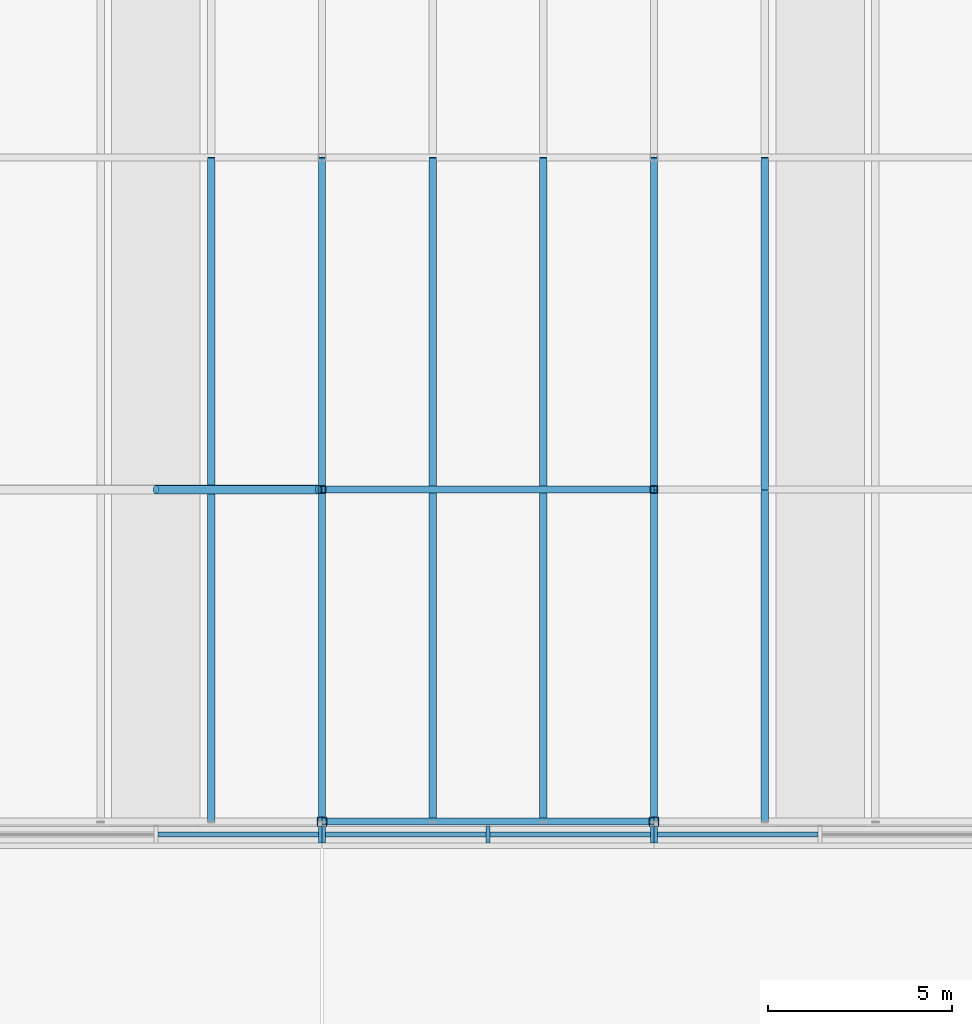
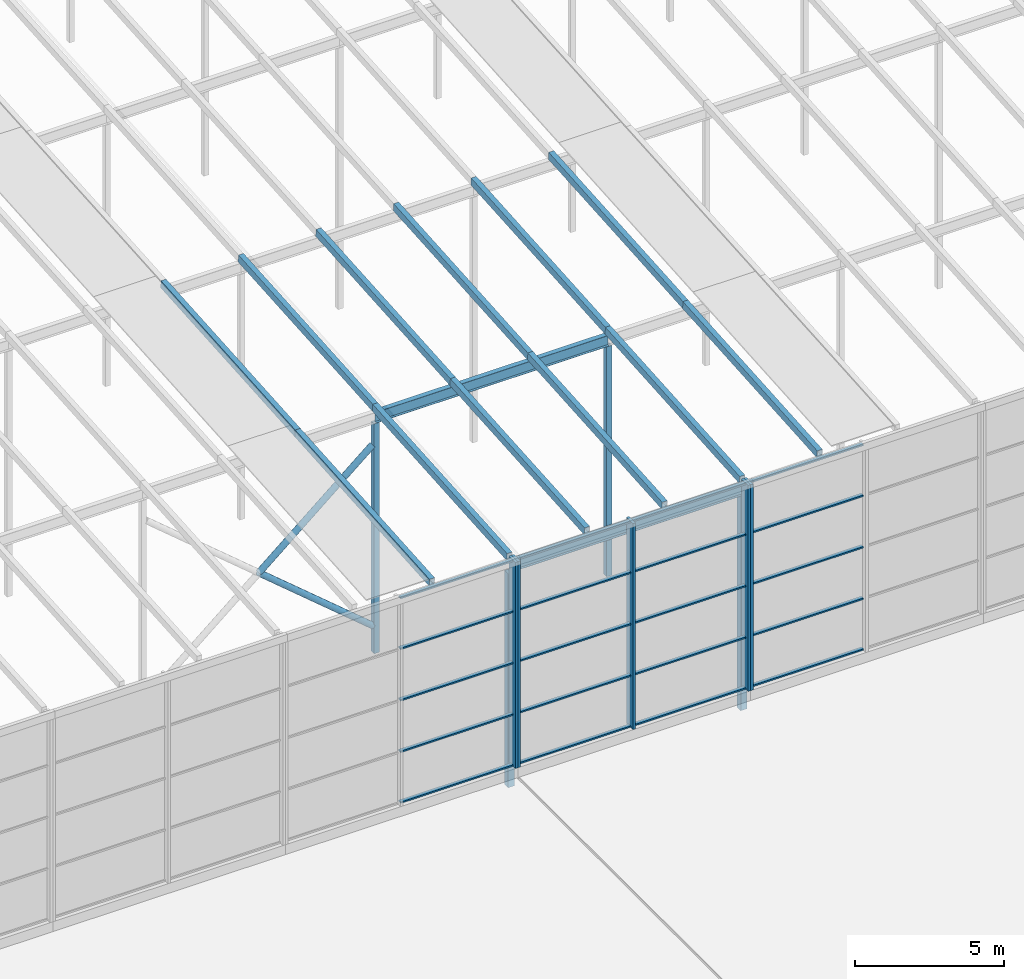
# One storey, part 16 of 84: 43 members, 2 beams, 3 elements without a shape of their own.
"""IFC4 building model written with IfcOpenShell, lengths in metres."""

from ifc_helpers import new_model, si_unit, direction, frame, origin, origin_2d, place, context, subcontext, project, spatial, rectangle, hollow_rectangle, hollow_circle, i_section, extrude, material, material_profile, profile_set, type_object, element, aggregate, save


model = new_model("IFC4")

# Units and contexts
model_context = context("Model", 3, precision=1e-05, world=origin(), true_north=direction((0.0, 1.0)))
body_context = subcontext(model_context, "Body", "Model", "MODEL_VIEW")
ifc_project = project(units=[si_unit("LENGTHUNIT", "METRE"), si_unit("AREAUNIT", "SQUARE_METRE"), si_unit("VOLUMEUNIT", "CUBIC_METRE"), si_unit("PLANEANGLEUNIT", "RADIAN"), si_unit("MASSUNIT", "GRAM", prefix="KILO")], contexts=[model_context])

# Site, building, storey
site_placement = place(None, origin())
site = spatial("IfcSite", under=ifc_project, at=site_placement, CompositionType="ELEMENT")
building_placement = place(site_placement, origin())
building = spatial("IfcBuilding", under=site, at=building_placement, Name="Silverbay Arena", CompositionType="ELEMENT")
storey_placement = place(building_placement, frame((0.0, 0.0, 47.10009765625)))
storey = spatial("IfcBuildingStorey", under=building, at=storey_placement, Name="ROOF", CompositionType="ELEMENT", Elevation=47.10009765625)

# Curtain wall, member
ifc_material_1 = material(Name="Aluminium framed glazing", Category="aluminium")
curtain_wall_type = type_object("IfcCurtainWallType", Name="Curtain wall crown 9000 x 8425", PredefinedType="NOTDEFINED", material=ifc_material_1)
curtain_wall_1_placement = place(storey_placement, origin())
curtain_wall_1 = element("IfcCurtainWall", 1, at=curtain_wall_1_placement, inside=storey, type_object=curtain_wall_type, Name="ROOF CROWN CURTAIN WALL south bay 06", PredefinedType="NOTDEFINED")
ifc_material_2 = material(Name="Aluminium", Category="aluminium")
ifc_material_profile_1 = material_profile(ifc_material_2, rectangle(XDim=0.449951171875, YDim=0.10009765625, at=origin_2d()), Name="Mullion 100 x 450")
ifc_profile_set_1 = profile_set([ifc_material_profile_1], Name="Aluminium")
member_type_1 = type_object("IfcMemberType", Name="Mullion 100 x 450", PredefinedType="MULLION", material=ifc_profile_set_1)
placement = place(building_placement, frame((0.0, 0.0, 33.5)))
member_1_placement = place(placement, frame((134.949951171875, 26.64990234375, 14.050048828125), z_axis=(0.0, 0.0, 1.0), x_axis=(0.0, 1.0, 0.0)))
member_1 = element("IfcMember", 2, at=member_1_placement, type_object=member_type_1, Name="CW62 mullion 3", PredefinedType="MULLION", context=body_context, shape_type="SweptSolid", body=[
    extrude(rectangle(XDim=0.449951171875, YDim=0.10009765625, at=origin_2d()), origin(), (0.0, 0.0, 1.0), 8.424560546875),
])

# Curtain wall, members
curtain_wall_2_placement = place(storey_placement, origin())
curtain_wall_2 = element("IfcCurtainWall", 3, at=curtain_wall_2_placement, inside=storey, type_object=curtain_wall_type, Name="ROOF CROWN CURTAIN WALL south bay 07", PredefinedType="NOTDEFINED")
member_2_placement = place(placement, frame((135.050048828125, 26.64990234375, 14.050048828125), z_axis=(0.0, 0.0, 1.0), x_axis=(0.0, 1.0, 0.0)))
member_2 = element("IfcMember", 4, at=member_2_placement, type_object=member_type_1, Name="CW62 mullion 1", PredefinedType="MULLION", context=body_context, shape_type="SweptSolid", body=[
    extrude(rectangle(XDim=0.449951171875, YDim=0.10009765625, at=origin_2d()), origin(), (0.0, 0.0, 1.0), 8.424560546875),
])
member_3_placement = place(placement, frame((139.5, 26.64990234375, 14.050048828125), z_axis=(0.0, 0.0, 1.0), x_axis=(0.0, 1.0, 0.0)))
member_3 = element("IfcMember", 5, at=member_3_placement, type_object=member_type_1, Name="CW62 mullion 2", PredefinedType="MULLION", context=body_context, shape_type="SweptSolid", body=[
    extrude(rectangle(XDim=0.449951171875, YDim=0.10009765625, at=origin_2d()), origin(), (0.0, 0.0, 1.0), 8.424560546875),
])
member_4_placement = place(placement, frame((143.949951171875, 26.64990234375, 14.050048828125), z_axis=(0.0, 0.0, 1.0), x_axis=(0.0, 1.0, 0.0)))
member_4 = element("IfcMember", 6, at=member_4_placement, type_object=member_type_1, Name="CW62 mullion 3", PredefinedType="MULLION", context=body_context, shape_type="SweptSolid", body=[
    extrude(rectangle(XDim=0.449951171875, YDim=0.10009765625, at=origin_2d()), origin(), (0.0, 0.0, 1.0), 8.424560546875),
])

# Curtain wall, member
curtain_wall_3_placement = place(storey_placement, origin())
curtain_wall_3 = element("IfcCurtainWall", 7, at=curtain_wall_3_placement, inside=storey, type_object=curtain_wall_type, Name="ROOF CROWN CURTAIN WALL south bay 08", PredefinedType="NOTDEFINED")
member_5_placement = place(placement, frame((144.050048828125, 26.64990234375, 14.050048828125), z_axis=(0.0, 0.0, 1.0), x_axis=(0.0, 1.0, 0.0)))
member_5 = element("IfcMember", 8, at=member_5_placement, type_object=member_type_1, Name="CW62 mullion 1", PredefinedType="MULLION", context=body_context, shape_type="SweptSolid", body=[
    extrude(rectangle(XDim=0.449951171875, YDim=0.10009765625, at=origin_2d()), origin(), (0.0, 0.0, 1.0), 8.424560546875),
])

# Members
ifc_material_3 = material(Name="Steel S355", Category="steel")
ifc_material_profile_2 = material_profile(ifc_material_3, hollow_rectangle(XDim=0.199951171875, YDim=0.300048828125, WallThickness=0.00634765625, at=origin_2d()), Name="RHS 300x200x6.3")
ifc_profile_set_2 = profile_set([ifc_material_profile_2], Name="Steel S355")
member_type_2 = type_object("IfcMemberType", Name="Purlin RHS 300x200x6.3", PredefinedType="PURLIN", material=ifc_profile_set_2)
for number, where, z_axis, x_axis, name in (
    (9, (132.0, 27.0, 8.74951171875), (0.0, 0.997402911363, 0.072023832195), (-1.0, 0.0, 0.0), "ROOF PURLIN crown line 18 bay 01"),
    (10, (132.0, 36.0, 9.3994140625), (0.0, 0.997400967367, 0.07205074805), (-1.0, 0.0, 0.0), "ROOF PURLIN crown line 18 bay 02"),
    (11, (135.0, 27.0, 8.74951171875), (0.0, 0.997402911363, 0.072023832195), (-1.0, 0.0, 0.0), "ROOF PURLIN crown line 19 bay 01"),
    (12, (135.0, 36.0, 9.3994140625), (0.0, 0.997400967367, 0.07205074805), (-1.0, 0.0, 0.0), "ROOF PURLIN crown line 19 bay 02"),
    (13, (138.0, 27.0, 8.74951171875), (0.0, 0.997402911363, 0.072023832195), (-1.0, 0.0, 0.0), "ROOF PURLIN crown line 20 bay 01"),
    (14, (138.0, 36.0, 9.3994140625), (0.0, 0.997400967367, 0.07205074805), (-1.0, 0.0, 0.0), "ROOF PURLIN crown line 20 bay 02"),
    (15, (141.0, 27.0, 8.74951171875), (0.0, 0.997402911363, 0.072023832195), (-1.0, 0.0, 0.0), "ROOF PURLIN crown line 21 bay 01"),
    (16, (141.0, 36.0, 9.3994140625), (0.0, 0.997400967367, 0.07205074805), (-1.0, 0.0, 0.0), "ROOF PURLIN crown line 21 bay 02"),
    (17, (144.0, 27.0, 8.74951171875), (0.0, 0.997402911363, 0.072023832195), (-1.0, 0.0, 0.0), "ROOF PURLIN crown line 22 bay 01"),
    (18, (144.0, 36.0, 9.3994140625), (0.0, 0.997400967367, 0.07205074805), (-1.0, 0.0, 0.0), "ROOF PURLIN crown line 22 bay 02"),
    (19, (147.0, 27.0, 8.74951171875), (0.0, 0.997402911363, 0.072023832195), (-1.0, 0.0, 0.0), "ROOF PURLIN crown line 23 bay 01"),
    (20, (147.0, 36.0, 9.3994140625), (0.0, 0.997400967367, 0.07205074805), (-1.0, 0.0, 0.0), "ROOF PURLIN crown line 23 bay 02"),
):
    element("IfcMember", number, at=place(storey_placement, frame(where, z_axis=z_axis, x_axis=x_axis)), inside=storey, type_object=member_type_2, Name=name, PredefinedType="PURLIN", context=body_context, shape_type="SweptSolid", body=[
        extrude(hollow_rectangle(XDim=0.199951171875, YDim=0.300048828125, WallThickness=0.00634765625, at=origin_2d()), origin(), (0.0, 0.0, 1.0), 9.0234375),
    ])

# Beams
ifc_material_4 = material(Name="Steel S355", Category="steel")
ifc_material_profile_3 = material_profile(ifc_material_4, i_section(OverallWidth=0.18994140625, OverallDepth=0.453369140625, WebThickness=0.008544921875, FlangeThickness=0.0126953125, at=origin_2d()), Name="UB 457x191x67")
ifc_profile_set_3 = profile_set([ifc_material_profile_3], Name="Steel S355")
beam_type = type_object("IfcBeamType", Name="Ring beam UB 457x191x67", PredefinedType="BEAM", material=ifc_profile_set_3)
for number, where, z_axis, x_axis, name in (
    (21, (135.0, 27.0, 8.372314453125), (1.0, 0.0, 0.0), (0.0, 1.0, 0.0), "RING BEAM crown row 01 16-17"),
    (22, (135.0, 36.0, 9.0224609375), (1.0, 0.0, 0.0), (0.0, 1.0, 0.0), "RING BEAM crown row 02 16-17"),
):
    element("IfcBeam", number, at=place(storey_placement, frame(where, z_axis=z_axis, x_axis=x_axis)), inside=storey, type_object=beam_type, Name=name, PredefinedType="BEAM", context=body_context, shape_type="SweptSolid", body=[
        extrude(i_section(OverallWidth=0.18994140625, OverallDepth=0.453369140625, WebThickness=0.008544921875, FlangeThickness=0.0126953125, at=origin_2d()), origin(), (0.0, 0.0, 1.0), 9.0),
    ])

# Members
ifc_material_5 = material(Name="Steel S355", Category="steel")
ifc_material_profile_4 = material_profile(ifc_material_5, hollow_rectangle(XDim=0.199951171875, YDim=0.199951171875, WallThickness=0.008056640625, at=origin_2d()), Name="SHS 200x200x8")
ifc_profile_set_4 = profile_set([ifc_material_profile_4], Name="Steel S355")
member_type_3 = type_object("IfcMemberType", Name="Roof post SHS 200x200x8", PredefinedType="POST", material=ifc_profile_set_4)
for number, where, z_axis, x_axis, name in (
    (23, (135.0, 36.0, -0.60009765625), (0.0, 0.0, 1.0), (1.0, 0.0, 0.0), "ROOF CROWN POST 16 row 02"),
    (24, (144.0, 36.0, -0.60009765625), (0.0, 0.0, 1.0), (1.0, 0.0, 0.0), "ROOF CROWN POST 17 row 02"),
):
    element("IfcMember", number, at=place(storey_placement, frame(where, z_axis=z_axis, x_axis=x_axis)), inside=storey, type_object=member_type_3, Name=name, PredefinedType="POST", context=body_context, shape_type="SweptSolid", body=[
        extrude(hollow_rectangle(XDim=0.199951171875, YDim=0.199951171875, WallThickness=0.008056640625, at=origin_2d()), origin(), (0.0, 0.0, 1.0), 9.395751953125),
    ])
ifc_material_6 = material(Name="Steel S355", Category="steel")
ifc_material_profile_5 = material_profile(ifc_material_6, hollow_rectangle(XDim=0.25, YDim=0.25, WallThickness=0.008056640625, at=origin_2d()), Name="SHS 250x250x8")
ifc_profile_set_5 = profile_set([ifc_material_profile_5], Name="Steel S355")
member_type_4 = type_object("IfcMemberType", Name="Roof post SHS 250x250x8", PredefinedType="POST", material=ifc_profile_set_5)
for number, where, z_axis, x_axis, name in (
    (25, (135.0, 27.0, -0.60009765625), (0.0, 0.0, 1.0), (1.0, 0.0, 0.0), "ROOF CROWN POST 16 row 01"),
    (26, (144.0, 27.0, -0.60009765625), (0.0, 0.0, 1.0), (1.0, 0.0, 0.0), "ROOF CROWN POST 17 row 01"),
):
    element("IfcMember", number, at=place(storey_placement, frame(where, z_axis=z_axis, x_axis=x_axis)), inside=storey, type_object=member_type_4, Name=name, PredefinedType="POST", context=body_context, shape_type="SweptSolid", body=[
        extrude(hollow_rectangle(XDim=0.25, YDim=0.25, WallThickness=0.008056640625, at=origin_2d()), origin(), (0.0, 0.0, 1.0), 8.745849609375),
    ])

# Member
ifc_material_7 = material(Name="Aluminium", Category="aluminium")
ifc_material_profile_6 = material_profile(ifc_material_7, rectangle(XDim=0.139892578125, YDim=0.06005859375, at=origin_2d()), Name="Transom 60 x 140")
ifc_profile_set_6 = profile_set([ifc_material_profile_6], Name="Aluminium")
member_type_5 = type_object("IfcMemberType", Name="Transom 60 x 140", PredefinedType="USERDEFINED", material=ifc_profile_set_6)
member_6_placement = place(placement, frame((130.550048828125, 26.64990234375, 14.080078125), z_axis=(1.0, 0.0, 0.0), x_axis=(0.0, 1.0, 0.0)))
member_6 = element("IfcMember", 27, at=member_6_placement, type_object=member_type_5, Name="CW62 transom 2.1", ObjectType="TRANSOM", PredefinedType="USERDEFINED", context=body_context, shape_type="SweptSolid", body=[
    extrude(rectangle(XDim=0.139892578125, YDim=0.06005859375, at=origin_2d()), origin(), (0.0, 0.0, 1.0), 4.349853515625),
])

member_7_placement = place(placement, frame((130.550048828125, 26.64990234375, 16.15625), z_axis=(1.0, 0.0, 0.0), x_axis=(0.0, 1.0, 0.0)))
member_7 = element("IfcMember", 28, at=member_7_placement, type_object=member_type_5, Name="CW62 transom 2.2", ObjectType="TRANSOM", PredefinedType="USERDEFINED", context=body_context, shape_type="SweptSolid", body=[
    extrude(rectangle(XDim=0.139892578125, YDim=0.06005859375, at=origin_2d()), origin(), (0.0, 0.0, 1.0), 4.349853515625),
])

member_8_placement = place(placement, frame((130.550048828125, 26.64990234375, 18.262451171875), z_axis=(1.0, 0.0, 0.0), x_axis=(0.0, 1.0, 0.0)))
member_8 = element("IfcMember", 29, at=member_8_placement, type_object=member_type_5, Name="CW62 transom 2.3", ObjectType="TRANSOM", PredefinedType="USERDEFINED", context=body_context, shape_type="SweptSolid", body=[
    extrude(rectangle(XDim=0.139892578125, YDim=0.06005859375, at=origin_2d()), origin(), (0.0, 0.0, 1.0), 4.349853515625),
])

member_9_placement = place(placement, frame((130.550048828125, 26.64990234375, 20.36865234375), z_axis=(1.0, 0.0, 0.0), x_axis=(0.0, 1.0, 0.0)))
member_9 = element("IfcMember", 30, at=member_9_placement, type_object=member_type_5, Name="CW62 transom 2.4", ObjectType="TRANSOM", PredefinedType="USERDEFINED", context=body_context, shape_type="SweptSolid", body=[
    extrude(rectangle(XDim=0.139892578125, YDim=0.06005859375, at=origin_2d()), origin(), (0.0, 0.0, 1.0), 4.349853515625),
])

member_10_placement = place(placement, frame((130.550048828125, 26.64990234375, 22.44482421875), z_axis=(1.0, 0.0, 0.0), x_axis=(0.0, 1.0, 0.0)))
member_10 = element("IfcMember", 31, at=member_10_placement, type_object=member_type_5, Name="CW62 transom 2.5", ObjectType="TRANSOM", PredefinedType="USERDEFINED", context=body_context, shape_type="SweptSolid", body=[
    extrude(rectangle(XDim=0.139892578125, YDim=0.06005859375, at=origin_2d()), origin(), (0.0, 0.0, 1.0), 4.349853515625),
])

aggregate(curtain_wall_1, [member_1, member_6, member_7, member_8, member_9, member_10])

member_11_placement = place(placement, frame((135.10009765625, 26.64990234375, 14.080078125), z_axis=(1.0, 0.0, 0.0), x_axis=(0.0, 1.0, 0.0)))
member_11 = element("IfcMember", 32, at=member_11_placement, type_object=member_type_5, Name="CW62 transom 1.1", ObjectType="TRANSOM", PredefinedType="USERDEFINED", context=body_context, shape_type="SweptSolid", body=[
    extrude(rectangle(XDim=0.139892578125, YDim=0.06005859375, at=origin_2d()), origin(), (0.0, 0.0, 1.0), 4.349853515625),
])

member_12_placement = place(placement, frame((135.10009765625, 26.64990234375, 16.15625), z_axis=(1.0, 0.0, 0.0), x_axis=(0.0, 1.0, 0.0)))
member_12 = element("IfcMember", 33, at=member_12_placement, type_object=member_type_5, Name="CW62 transom 1.2", ObjectType="TRANSOM", PredefinedType="USERDEFINED", context=body_context, shape_type="SweptSolid", body=[
    extrude(rectangle(XDim=0.139892578125, YDim=0.06005859375, at=origin_2d()), origin(), (0.0, 0.0, 1.0), 4.349853515625),
])

member_13_placement = place(placement, frame((135.10009765625, 26.64990234375, 18.262451171875), z_axis=(1.0, 0.0, 0.0), x_axis=(0.0, 1.0, 0.0)))
member_13 = element("IfcMember", 34, at=member_13_placement, type_object=member_type_5, Name="CW62 transom 1.3", ObjectType="TRANSOM", PredefinedType="USERDEFINED", context=body_context, shape_type="SweptSolid", body=[
    extrude(rectangle(XDim=0.139892578125, YDim=0.06005859375, at=origin_2d()), origin(), (0.0, 0.0, 1.0), 4.349853515625),
])

member_14_placement = place(placement, frame((135.10009765625, 26.64990234375, 20.36865234375), z_axis=(1.0, 0.0, 0.0), x_axis=(0.0, 1.0, 0.0)))
member_14 = element("IfcMember", 35, at=member_14_placement, type_object=member_type_5, Name="CW62 transom 1.4", ObjectType="TRANSOM", PredefinedType="USERDEFINED", context=body_context, shape_type="SweptSolid", body=[
    extrude(rectangle(XDim=0.139892578125, YDim=0.06005859375, at=origin_2d()), origin(), (0.0, 0.0, 1.0), 4.349853515625),
])

member_15_placement = place(placement, frame((135.10009765625, 26.64990234375, 22.44482421875), z_axis=(1.0, 0.0, 0.0), x_axis=(0.0, 1.0, 0.0)))
member_15 = element("IfcMember", 36, at=member_15_placement, type_object=member_type_5, Name="CW62 transom 1.5", ObjectType="TRANSOM", PredefinedType="USERDEFINED", context=body_context, shape_type="SweptSolid", body=[
    extrude(rectangle(XDim=0.139892578125, YDim=0.06005859375, at=origin_2d()), origin(), (0.0, 0.0, 1.0), 4.349853515625),
])

member_16_placement = place(placement, frame((139.550048828125, 26.64990234375, 14.080078125), z_axis=(1.0, 0.0, 0.0), x_axis=(0.0, 1.0, 0.0)))
member_16 = element("IfcMember", 37, at=member_16_placement, type_object=member_type_5, Name="CW62 transom 2.1", ObjectType="TRANSOM", PredefinedType="USERDEFINED", context=body_context, shape_type="SweptSolid", body=[
    extrude(rectangle(XDim=0.139892578125, YDim=0.06005859375, at=origin_2d()), origin(), (0.0, 0.0, 1.0), 4.349853515625),
])

member_17_placement = place(placement, frame((139.550048828125, 26.64990234375, 16.15625), z_axis=(1.0, 0.0, 0.0), x_axis=(0.0, 1.0, 0.0)))
member_17 = element("IfcMember", 38, at=member_17_placement, type_object=member_type_5, Name="CW62 transom 2.2", ObjectType="TRANSOM", PredefinedType="USERDEFINED", context=body_context, shape_type="SweptSolid", body=[
    extrude(rectangle(XDim=0.139892578125, YDim=0.06005859375, at=origin_2d()), origin(), (0.0, 0.0, 1.0), 4.349853515625),
])

member_18_placement = place(placement, frame((139.550048828125, 26.64990234375, 18.262451171875), z_axis=(1.0, 0.0, 0.0), x_axis=(0.0, 1.0, 0.0)))
member_18 = element("IfcMember", 39, at=member_18_placement, type_object=member_type_5, Name="CW62 transom 2.3", ObjectType="TRANSOM", PredefinedType="USERDEFINED", context=body_context, shape_type="SweptSolid", body=[
    extrude(rectangle(XDim=0.139892578125, YDim=0.06005859375, at=origin_2d()), origin(), (0.0, 0.0, 1.0), 4.349853515625),
])

member_19_placement = place(placement, frame((139.550048828125, 26.64990234375, 20.36865234375), z_axis=(1.0, 0.0, 0.0), x_axis=(0.0, 1.0, 0.0)))
member_19 = element("IfcMember", 40, at=member_19_placement, type_object=member_type_5, Name="CW62 transom 2.4", ObjectType="TRANSOM", PredefinedType="USERDEFINED", context=body_context, shape_type="SweptSolid", body=[
    extrude(rectangle(XDim=0.139892578125, YDim=0.06005859375, at=origin_2d()), origin(), (0.0, 0.0, 1.0), 4.349853515625),
])

member_20_placement = place(placement, frame((139.550048828125, 26.64990234375, 22.44482421875), z_axis=(1.0, 0.0, 0.0), x_axis=(0.0, 1.0, 0.0)))
member_20 = element("IfcMember", 41, at=member_20_placement, type_object=member_type_5, Name="CW62 transom 2.5", ObjectType="TRANSOM", PredefinedType="USERDEFINED", context=body_context, shape_type="SweptSolid", body=[
    extrude(rectangle(XDim=0.139892578125, YDim=0.06005859375, at=origin_2d()), origin(), (0.0, 0.0, 1.0), 4.349853515625),
])

aggregate(curtain_wall_2, [member_2, member_3, member_4, member_11, member_12, member_13, member_14, member_15, member_16, member_17, member_18, member_19, member_20])

member_21_placement = place(placement, frame((144.10009765625, 26.64990234375, 14.080078125), z_axis=(1.0, 0.0, 0.0), x_axis=(0.0, 1.0, 0.0)))
member_21 = element("IfcMember", 42, at=member_21_placement, type_object=member_type_5, Name="CW62 transom 1.1", ObjectType="TRANSOM", PredefinedType="USERDEFINED", context=body_context, shape_type="SweptSolid", body=[
    extrude(rectangle(XDim=0.139892578125, YDim=0.06005859375, at=origin_2d()), origin(), (0.0, 0.0, 1.0), 4.349853515625),
])

member_22_placement = place(placement, frame((144.10009765625, 26.64990234375, 16.15625), z_axis=(1.0, 0.0, 0.0), x_axis=(0.0, 1.0, 0.0)))
member_22 = element("IfcMember", 43, at=member_22_placement, type_object=member_type_5, Name="CW62 transom 1.2", ObjectType="TRANSOM", PredefinedType="USERDEFINED", context=body_context, shape_type="SweptSolid", body=[
    extrude(rectangle(XDim=0.139892578125, YDim=0.06005859375, at=origin_2d()), origin(), (0.0, 0.0, 1.0), 4.349853515625),
])

member_23_placement = place(placement, frame((144.10009765625, 26.64990234375, 18.262451171875), z_axis=(1.0, 0.0, 0.0), x_axis=(0.0, 1.0, 0.0)))
member_23 = element("IfcMember", 44, at=member_23_placement, type_object=member_type_5, Name="CW62 transom 1.3", ObjectType="TRANSOM", PredefinedType="USERDEFINED", context=body_context, shape_type="SweptSolid", body=[
    extrude(rectangle(XDim=0.139892578125, YDim=0.06005859375, at=origin_2d()), origin(), (0.0, 0.0, 1.0), 4.349853515625),
])

member_24_placement = place(placement, frame((144.10009765625, 26.64990234375, 20.36865234375), z_axis=(1.0, 0.0, 0.0), x_axis=(0.0, 1.0, 0.0)))
member_24 = element("IfcMember", 45, at=member_24_placement, type_object=member_type_5, Name="CW62 transom 1.4", ObjectType="TRANSOM", PredefinedType="USERDEFINED", context=body_context, shape_type="SweptSolid", body=[
    extrude(rectangle(XDim=0.139892578125, YDim=0.06005859375, at=origin_2d()), origin(), (0.0, 0.0, 1.0), 4.349853515625),
])

member_25_placement = place(placement, frame((144.10009765625, 26.64990234375, 22.44482421875), z_axis=(1.0, 0.0, 0.0), x_axis=(0.0, 1.0, 0.0)))
member_25 = element("IfcMember", 46, at=member_25_placement, type_object=member_type_5, Name="CW62 transom 1.5", ObjectType="TRANSOM", PredefinedType="USERDEFINED", context=body_context, shape_type="SweptSolid", body=[
    extrude(rectangle(XDim=0.139892578125, YDim=0.06005859375, at=origin_2d()), origin(), (0.0, 0.0, 1.0), 4.349853515625),
])

aggregate(curtain_wall_3, [member_5, member_21, member_22, member_23, member_24, member_25])

# Members
ifc_material_8 = material(Name="Steel S355", Category="steel")
ifc_material_profile_7 = material_profile(ifc_material_8, hollow_circle(Radius=0.122314453125, WallThickness=0.00634765625, at=origin_2d()), Name="CHS 244.5x6.3")
ifc_profile_set_7 = profile_set([ifc_material_profile_7], Name="Steel S355")
member_type_6 = type_object("IfcMemberType", Name="Vertical bracing CHS 244.5x6.3", PredefinedType="BRACE", material=ifc_profile_set_7)
member_26_placement = place(storey_placement, frame((130.5, 36.0, 4.19775390625), z_axis=(0.765526597926, 0.0, 0.643404249184), x_axis=(0.0, 1.0, 0.0)))
element("IfcMember", 47, at=member_26_placement, inside=storey, type_object=member_type_6, Name="ROOF CROWN BRACING S bay 06 Ab", PredefinedType="BRACE", context=body_context, shape_type="SweptSolid", body=[
    extrude(hollow_circle(Radius=0.122314453125, WallThickness=0.00634765625, at=origin_2d()), origin(), (0.0, 0.0, 1.0), 5.74755859375),
])
member_27_placement = place(storey_placement, frame((130.5, 36.0, 4.19775390625), z_axis=(0.765547520012, 0.0, -0.643379355127), x_axis=(0.0, 1.0, 0.0)))
element("IfcMember", 48, at=member_27_placement, inside=storey, type_object=member_type_6, Name="ROOF CROWN BRACING S bay 06 Bb", PredefinedType="BRACE", context=body_context, shape_type="SweptSolid", body=[
    extrude(hollow_circle(Radius=0.122314453125, WallThickness=0.00634765625, at=origin_2d()), origin(), (0.0, 0.0, 1.0), 5.747314453125),
])

save(model, "model.ifc")
